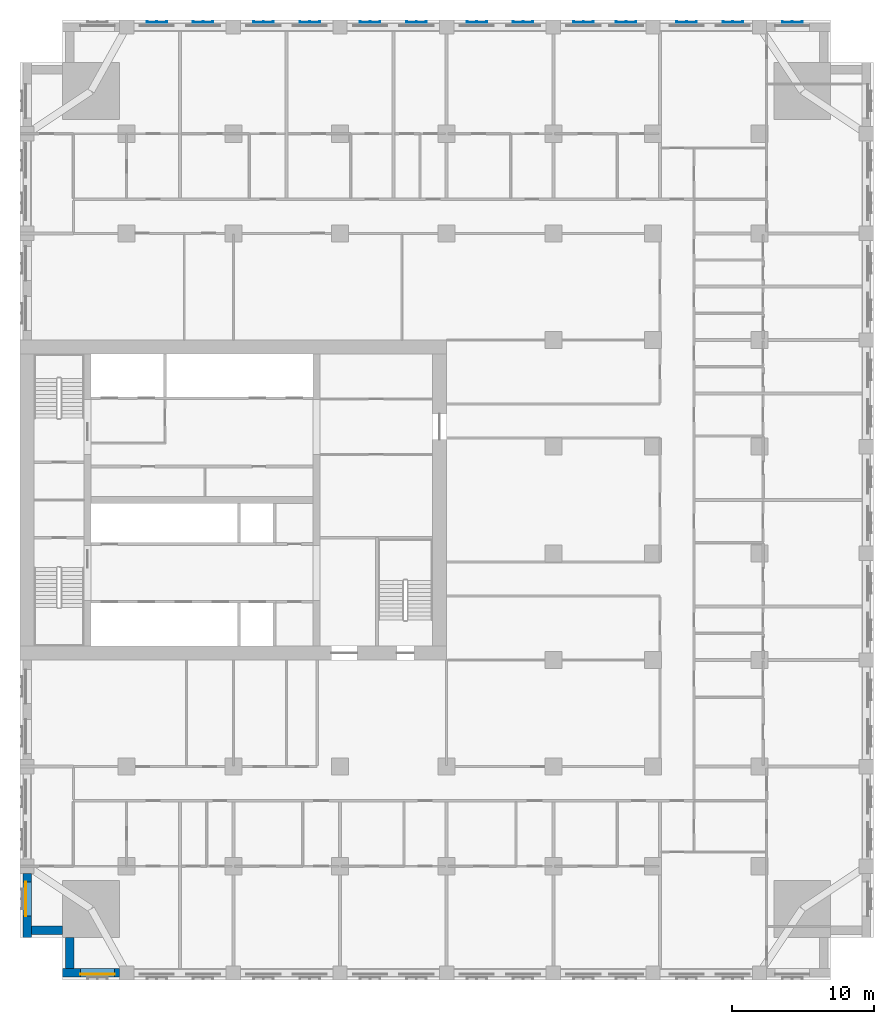
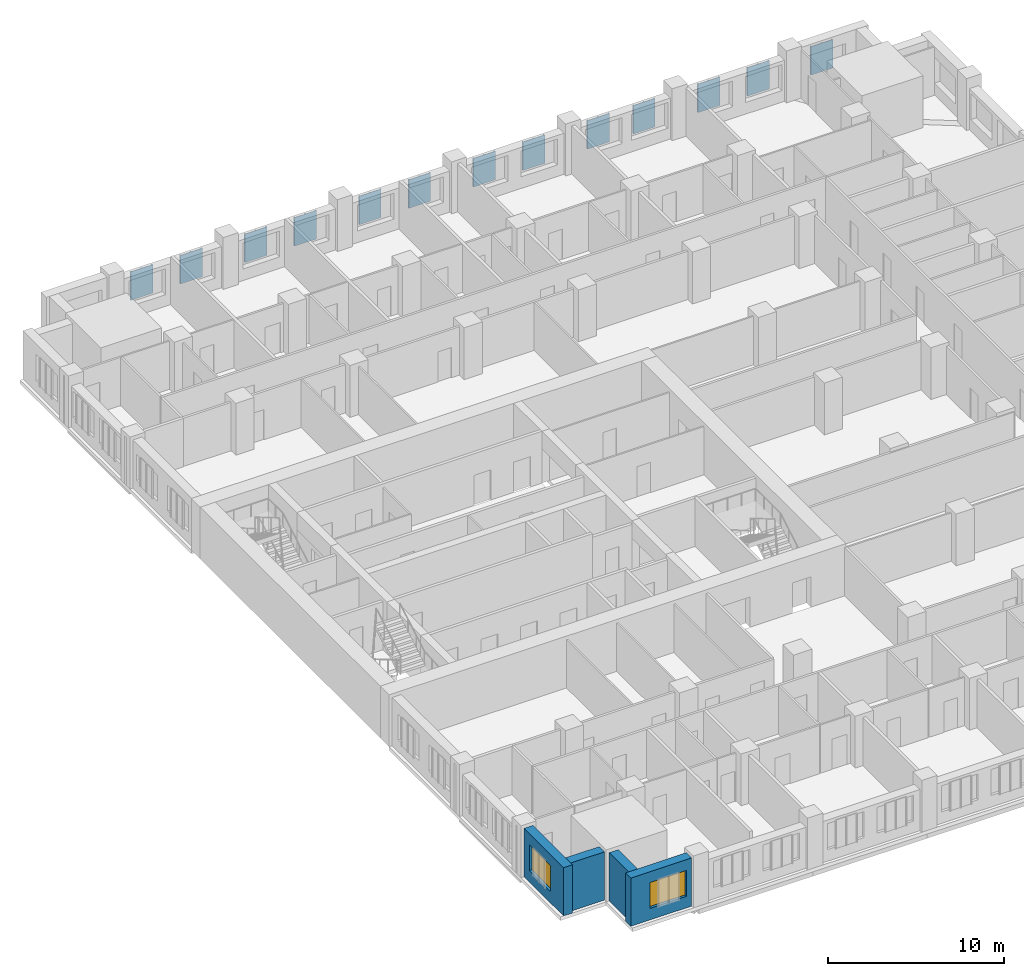
# One storey, part 3 of 14: 13 plates, 4 walls, 2 windows, 2 openings.
"""IFC4 building model written with IfcOpenShell, lengths in metres."""

from ifc_helpers import new_model, si_unit, direction, frame, frame_2d, origin, place, context, subcontext, project, spatial, polyline, rectangle, outline, extrude, material, layer, layer_set, type_object, element, fill, save


model = new_model("IFC4")

# Units and contexts
model_context = context("Model", 3, precision=1e-05, world=origin(), true_north=direction((0.0, 1.0)))
body_context = subcontext(model_context, "Body", "Model", "MODEL_VIEW")
ifc_project = project(units=[si_unit("LENGTHUNIT", "METRE"), si_unit("AREAUNIT", "SQUARE_METRE"), si_unit("VOLUMEUNIT", "CUBIC_METRE"), si_unit("PLANEANGLEUNIT", "RADIAN"), si_unit("MASSUNIT", "GRAM", prefix="KILO")], contexts=[model_context])

# Site, building, storey
site_placement = place(None, origin())
site = spatial("IfcSite", under=ifc_project, at=site_placement, CompositionType="ELEMENT")
building_placement = place(site_placement, origin())
building = spatial("IfcBuilding", under=site, at=building_placement, Name="Tamorin Gate", CompositionType="ELEMENT")
storey_placement = place(building_placement, frame((0.0, 0.0, 44.800048828125)))
storey = spatial("IfcBuildingStorey", under=building, at=storey_placement, Name="L09", CompositionType="ELEMENT", Elevation=44.800048828125)

# Plates
ifc_material_1 = material(Name="Perforated pale aluminium sheet", Category="aluminium")
ifc_layer_1 = layer(ifc_material_1, 0.0400390625)
ifc_layer_set_1 = layer_set([ifc_layer_1], Name="Pale metal solar screen 1440")
plate_type = type_object("IfcPlateType", Name="Pale metal solar screen 1440", PredefinedType="SHEET", material=ifc_layer_set_1)
plate_1_placement = place(storey_placement, frame((0.0, 0.0, 0.7099609375)))
element("IfcPlate", 1, at=plate_1_placement, inside=storey, type_object=plate_type, Name="Perforated solar screen", PredefinedType="SHEET", context=body_context, shape_type="SweptSolid", body=[
    extrude(outline(polyline([(85.02001953125, 104.840087890625), (85.02001953125, 104.800048828125), (84.9599609375, 104.800048828125), (84.330078125, 104.800048828125), (84.27001953125, 104.800048828125), (83.639892578125, 104.800048828125), (83.580078125, 104.800048828125), (83.580078125, 104.840087890625), (83.580078125, 104.89990234375), (83.639892578125, 104.89990234375), (83.639892578125, 104.840087890625), (84.27001953125, 104.840087890625), (84.27001953125, 104.89990234375), (84.330078125, 104.89990234375), (84.330078125, 104.840087890625), (84.9599609375, 104.840087890625), (84.9599609375, 104.89990234375), (85.02001953125, 104.89990234375), (85.02001953125, 104.840087890625)])), origin(), (0.0, 0.0, 1.0), 1.97998046875),
])
plate_2_placement = place(storey_placement, frame((0.0, 0.0, 0.7099609375)))
element("IfcPlate", 2, at=plate_2_placement, inside=storey, type_object=plate_type, Name="Perforated solar screen", PredefinedType="SHEET", context=body_context, shape_type="SweptSolid", body=[
    extrude(outline(polyline([(77.594970703125, 104.840087890625), (77.594970703125, 104.800048828125), (77.534912109375, 104.800048828125), (76.905029296875, 104.800048828125), (76.844970703125, 104.800048828125), (76.215087890625, 104.800048828125), (76.155029296875, 104.800048828125), (76.155029296875, 104.840087890625), (76.155029296875, 104.89990234375), (76.215087890625, 104.89990234375), (76.215087890625, 104.840087890625), (76.844970703125, 104.840087890625), (76.844970703125, 104.89990234375), (76.905029296875, 104.89990234375), (76.905029296875, 104.840087890625), (77.534912109375, 104.840087890625), (77.534912109375, 104.89990234375), (77.594970703125, 104.89990234375), (77.594970703125, 104.840087890625)])), origin(), (0.0, 0.0, 1.0), 1.97998046875),
])
plate_3_placement = place(storey_placement, frame((0.0, 0.0, 0.7099609375)))
element("IfcPlate", 3, at=plate_3_placement, inside=storey, type_object=plate_type, Name="Perforated solar screen", PredefinedType="SHEET", context=body_context, shape_type="SweptSolid", body=[
    extrude(outline(polyline([(80.844970703125, 104.840087890625), (80.844970703125, 104.800048828125), (80.784912109375, 104.800048828125), (80.155029296875, 104.800048828125), (80.094970703125, 104.800048828125), (79.465087890625, 104.800048828125), (79.405029296875, 104.800048828125), (79.405029296875, 104.800048828125), (79.405029296875, 104.840087890625), (79.405029296875, 104.840087890625), (79.405029296875, 104.89990234375), (79.465087890625, 104.89990234375), (79.465087890625, 104.840087890625), (80.094970703125, 104.840087890625), (80.094970703125, 104.89990234375), (80.155029296875, 104.89990234375), (80.155029296875, 104.840087890625), (80.784912109375, 104.840087890625), (80.784912109375, 104.89990234375), (80.844970703125, 104.89990234375), (80.844970703125, 104.840087890625)])), origin(), (0.0, 0.0, 1.0), 1.97998046875),
])
plate_4_placement = place(storey_placement, frame((0.0, 0.0, 0.7099609375)))
element("IfcPlate", 4, at=plate_4_placement, inside=storey, type_object=plate_type, Name="Perforated solar screen", PredefinedType="SHEET", context=body_context, shape_type="SweptSolid", body=[
    extrude(outline(polyline([(70.344970703125, 104.840087890625), (70.344970703125, 104.800048828125), (70.284912109375, 104.800048828125), (69.655029296875, 104.800048828125), (69.594970703125, 104.800048828125), (68.965087890625, 104.800048828125), (68.905029296875, 104.800048828125), (68.905029296875, 104.840087890625), (68.905029296875, 104.89990234375), (68.965087890625, 104.89990234375), (68.965087890625, 104.840087890625), (69.594970703125, 104.840087890625), (69.594970703125, 104.89990234375), (69.655029296875, 104.89990234375), (69.655029296875, 104.840087890625), (70.284912109375, 104.840087890625), (70.284912109375, 104.89990234375), (70.344970703125, 104.89990234375), (70.344970703125, 104.840087890625)])), origin(), (0.0, 0.0, 1.0), 1.97998046875),
])
plate_5_placement = place(storey_placement, frame((0.0, 0.0, 0.7099609375)))
element("IfcPlate", 5, at=plate_5_placement, inside=storey, type_object=plate_type, Name="Perforated solar screen", PredefinedType="SHEET", context=body_context, shape_type="SweptSolid", body=[
    extrude(outline(polyline([(73.344970703125, 104.840087890625), (73.344970703125, 104.800048828125), (73.284912109375, 104.800048828125), (72.655029296875, 104.800048828125), (72.594970703125, 104.800048828125), (71.965087890625, 104.800048828125), (71.905029296875, 104.800048828125), (71.905029296875, 104.840087890625), (71.905029296875, 104.89990234375), (71.965087890625, 104.89990234375), (71.965087890625, 104.840087890625), (72.594970703125, 104.840087890625), (72.594970703125, 104.89990234375), (72.655029296875, 104.89990234375), (72.655029296875, 104.840087890625), (73.284912109375, 104.840087890625), (73.284912109375, 104.89990234375), (73.344970703125, 104.89990234375), (73.344970703125, 104.840087890625)])), origin(), (0.0, 0.0, 1.0), 1.97998046875),
])
plate_6_placement = place(storey_placement, frame((0.0, 0.0, 0.7099609375)))
element("IfcPlate", 6, at=plate_6_placement, inside=storey, type_object=plate_type, Name="Perforated solar screen", PredefinedType="SHEET", context=body_context, shape_type="SweptSolid", body=[
    extrude(outline(polyline([(62.844970703125, 104.840087890625), (62.844970703125, 104.800048828125), (62.784912109375, 104.800048828125), (62.155029296875, 104.800048828125), (62.094970703125, 104.800048828125), (61.465087890625, 104.800048828125), (61.405029296875, 104.800048828125), (61.405029296875, 104.840087890625), (61.405029296875, 104.89990234375), (61.465087890625, 104.89990234375), (61.465087890625, 104.840087890625), (62.094970703125, 104.840087890625), (62.094970703125, 104.89990234375), (62.155029296875, 104.89990234375), (62.155029296875, 104.840087890625), (62.784912109375, 104.840087890625), (62.784912109375, 104.89990234375), (62.844970703125, 104.89990234375), (62.844970703125, 104.840087890625)])), origin(), (0.0, 0.0, 1.0), 1.97998046875),
])
plate_7_placement = place(storey_placement, frame((0.0, 0.0, 0.7099609375)))
element("IfcPlate", 7, at=plate_7_placement, inside=storey, type_object=plate_type, Name="Perforated solar screen", PredefinedType="SHEET", context=body_context, shape_type="SweptSolid", body=[
    extrude(outline(polyline([(66.094970703125, 104.840087890625), (66.094970703125, 104.800048828125), (66.034912109375, 104.800048828125), (65.405029296875, 104.800048828125), (65.344970703125, 104.800048828125), (64.715087890625, 104.800048828125), (64.655029296875, 104.800048828125), (64.655029296875, 104.840087890625), (64.655029296875, 104.89990234375), (64.715087890625, 104.89990234375), (64.715087890625, 104.840087890625), (65.344970703125, 104.840087890625), (65.344970703125, 104.89990234375), (65.405029296875, 104.89990234375), (65.405029296875, 104.840087890625), (66.034912109375, 104.840087890625), (66.034912109375, 104.89990234375), (66.094970703125, 104.89990234375), (66.094970703125, 104.840087890625)])), origin(), (0.0, 0.0, 1.0), 1.97998046875),
])
plate_8_placement = place(storey_placement, frame((0.0, 0.0, 0.7099609375)))
element("IfcPlate", 8, at=plate_8_placement, inside=storey, type_object=plate_type, Name="Perforated solar screen", PredefinedType="SHEET", context=body_context, shape_type="SweptSolid", body=[
    extrude(outline(polyline([(55.344970703125, 104.840087890625), (55.344970703125, 104.800048828125), (55.284912109375, 104.800048828125), (54.655029296875, 104.800048828125), (54.594970703125, 104.800048828125), (53.965087890625, 104.800048828125), (53.905029296875, 104.800048828125), (53.905029296875, 104.840087890625), (53.905029296875, 104.89990234375), (53.965087890625, 104.89990234375), (53.965087890625, 104.840087890625), (54.594970703125, 104.840087890625), (54.594970703125, 104.89990234375), (54.655029296875, 104.89990234375), (54.655029296875, 104.840087890625), (55.284912109375, 104.840087890625), (55.284912109375, 104.89990234375), (55.344970703125, 104.89990234375), (55.344970703125, 104.840087890625)])), origin(), (0.0, 0.0, 1.0), 1.97998046875),
])
plate_9_placement = place(storey_placement, frame((0.0, 0.0, 0.7099609375)))
element("IfcPlate", 9, at=plate_9_placement, inside=storey, type_object=plate_type, Name="Perforated solar screen", PredefinedType="SHEET", context=body_context, shape_type="SweptSolid", body=[
    extrude(outline(polyline([(58.594970703125, 104.840087890625), (58.594970703125, 104.800048828125), (58.534912109375, 104.800048828125), (57.905029296875, 104.800048828125), (57.844970703125, 104.800048828125), (57.215087890625, 104.800048828125), (57.155029296875, 104.800048828125), (57.155029296875, 104.840087890625), (57.155029296875, 104.89990234375), (57.215087890625, 104.89990234375), (57.215087890625, 104.840087890625), (57.844970703125, 104.840087890625), (57.844970703125, 104.89990234375), (57.905029296875, 104.89990234375), (57.905029296875, 104.840087890625), (58.534912109375, 104.840087890625), (58.534912109375, 104.89990234375), (58.594970703125, 104.89990234375), (58.594970703125, 104.840087890625)])), origin(), (0.0, 0.0, 1.0), 1.97998046875),
])
plate_10_placement = place(storey_placement, frame((0.0, 0.0, 0.7099609375)))
element("IfcPlate", 10, at=plate_10_placement, inside=storey, type_object=plate_type, Name="Perforated solar screen", PredefinedType="SHEET", context=body_context, shape_type="SweptSolid", body=[
    extrude(outline(polyline([(47.844970703125, 104.840087890625), (47.844970703125, 104.800048828125), (47.784912109375, 104.800048828125), (47.155029296875, 104.800048828125), (47.094970703125, 104.800048828125), (46.465087890625, 104.800048828125), (46.405029296875, 104.800048828125), (46.405029296875, 104.840087890625), (46.405029296875, 104.89990234375), (46.465087890625, 104.89990234375), (46.465087890625, 104.840087890625), (47.094970703125, 104.840087890625), (47.094970703125, 104.89990234375), (47.155029296875, 104.89990234375), (47.155029296875, 104.840087890625), (47.784912109375, 104.840087890625), (47.784912109375, 104.89990234375), (47.844970703125, 104.89990234375), (47.844970703125, 104.840087890625)])), origin(), (0.0, 0.0, 1.0), 1.97998046875),
])
plate_11_placement = place(storey_placement, frame((0.0, 0.0, 0.7099609375)))
element("IfcPlate", 11, at=plate_11_placement, inside=storey, type_object=plate_type, Name="Perforated solar screen", PredefinedType="SHEET", context=body_context, shape_type="SweptSolid", body=[
    extrude(outline(polyline([(51.094970703125, 104.840087890625), (51.094970703125, 104.800048828125), (51.034912109375, 104.800048828125), (50.405029296875, 104.800048828125), (50.344970703125, 104.800048828125), (49.715087890625, 104.800048828125), (49.655029296875, 104.800048828125), (49.655029296875, 104.840087890625), (49.655029296875, 104.89990234375), (49.715087890625, 104.89990234375), (49.715087890625, 104.840087890625), (50.344970703125, 104.840087890625), (50.344970703125, 104.89990234375), (50.405029296875, 104.89990234375), (50.405029296875, 104.840087890625), (51.034912109375, 104.840087890625), (51.034912109375, 104.89990234375), (51.094970703125, 104.89990234375), (51.094970703125, 104.840087890625)])), origin(), (0.0, 0.0, 1.0), 1.97998046875),
])
plate_12_placement = place(storey_placement, frame((0.0, 0.0, 0.7099609375)))
element("IfcPlate", 12, at=plate_12_placement, inside=storey, type_object=plate_type, Name="Perforated solar screen", PredefinedType="SHEET", context=body_context, shape_type="SweptSolid", body=[
    extrude(outline(polyline([(40.344970703125, 104.840087890625), (40.344970703125, 104.800048828125), (40.284912109375, 104.800048828125), (39.655029296875, 104.800048828125), (39.594970703125, 104.800048828125), (38.965087890625, 104.800048828125), (38.905029296875, 104.800048828125), (38.905029296875, 104.840087890625), (38.905029296875, 104.89990234375), (38.965087890625, 104.89990234375), (38.965087890625, 104.840087890625), (39.594970703125, 104.840087890625), (39.594970703125, 104.89990234375), (39.655029296875, 104.89990234375), (39.655029296875, 104.840087890625), (40.284912109375, 104.840087890625), (40.284912109375, 104.89990234375), (40.344970703125, 104.89990234375), (40.344970703125, 104.840087890625)])), origin(), (0.0, 0.0, 1.0), 1.97998046875),
])
plate_13_placement = place(storey_placement, frame((0.0, 0.0, 0.7099609375)))
element("IfcPlate", 13, at=plate_13_placement, inside=storey, type_object=plate_type, Name="Perforated solar screen", PredefinedType="SHEET", context=body_context, shape_type="SweptSolid", body=[
    extrude(outline(polyline([(43.594970703125, 104.840087890625), (43.594970703125, 104.800048828125), (43.534912109375, 104.800048828125), (42.905029296875, 104.800048828125), (42.844970703125, 104.800048828125), (42.215087890625, 104.800048828125), (42.155029296875, 104.800048828125), (42.155029296875, 104.840087890625), (42.155029296875, 104.89990234375), (42.215087890625, 104.89990234375), (42.215087890625, 104.840087890625), (42.844970703125, 104.840087890625), (42.844970703125, 104.89990234375), (42.905029296875, 104.89990234375), (42.905029296875, 104.840087890625), (43.534912109375, 104.840087890625), (43.534912109375, 104.89990234375), (43.594970703125, 104.89990234375), (43.594970703125, 104.840087890625)])), origin(), (0.0, 0.0, 1.0), 1.97998046875),
])

# Wall, opening, window
ifc_material_2 = material(Name="Precast concrete C40/50", Category="concrete")
ifc_layer_2 = layer(ifc_material_2, 0.60009765625)
ifc_layer_set_2 = layer_set([ifc_layer_2], Name="Precast concrete C40/50")
wall_type = type_object("IfcWallType", Name="Board-marked concrete facade panel 600", PredefinedType="SOLIDWALL", material=ifc_layer_set_2)
wall_1_placement = place(storey_placement, frame((33.0, 38.0, 0.0), z_axis=(0.0, 0.0, 1.0), x_axis=(1.0, 0.0, 0.0)))
wall_1 = element("IfcWall", 14, at=wall_1_placement, inside=storey, type_object=wall_type, Name="Facade panel", PredefinedType="SOLIDWALL", context=body_context, shape_type="SweptSolid", body=[
    extrude(rectangle(XDim=4.0, YDim=0.60009765625, at=frame_2d((2.0, 0.0))), origin(), (0.0, 0.0, 1.0), 3.349853515625),
])
opening_1_placement = place(wall_1_placement, frame((1.25, 0.0, 0.800048828125)))
opening_1 = element("IfcOpeningElement", 15, at=opening_1_placement, cuts=wall_1, Name="Opening WN1", PredefinedType="OPENING", context=body_context, shape_type="SweptSolid", body=[
    extrude(rectangle(XDim=2.39990234375, YDim=1.800048828125, at=frame_2d((1.199951171875, 0.89990234375))), frame((0.0, 0.31005859375, 0.0), z_axis=(0.0, -1.0, 0.0), x_axis=(1.0, 0.0, 0.0)), (0.0, 0.0, 1.0), 0.6201171875),
])
ifc_material_3 = material(Name="Clear glass in aluminium frame", Category="aluminium")
window_type = type_object("IfcWindowType", Name="Deep-set window 2400x1800", PartitioningType="SINGLE_PANEL", PredefinedType="WINDOW", material=ifc_material_3)
window_1_placement = place(opening_1_placement, origin())
window_1 = element("IfcWindow", 16, at=window_1_placement, inside=storey, type_object=window_type, Name="Deep-set window", OverallHeight=1.800048828125, OverallWidth=2.39990234375, PartitioningType="SINGLE_PANEL", PredefinedType="WINDOW", context=body_context, shape_type="SweptSolid", body=[
    extrude(rectangle(XDim=2.39990234375, YDim=1.800048828125, at=frame_2d((1.199951171875, 0.89990234375))), frame((0.0, -0.070068359375, 0.0), z_axis=(0.0, -1.0, 0.0), x_axis=(1.0, 0.0, 0.0)), (0.0, 0.0, 1.0), 0.06005859375),
])
fill(opening_1, window_1)

wall_2_placement = place(storey_placement, frame((30.5, 45.0, 0.0), z_axis=(0.0, 0.0, 1.0), x_axis=(0.0, -1.0, 0.0)))
wall_2 = element("IfcWall", 17, at=wall_2_placement, inside=storey, type_object=wall_type, Name="Facade panel", PredefinedType="SOLIDWALL", context=body_context, shape_type="SweptSolid", body=[
    extrude(rectangle(XDim=4.5, YDim=0.60009765625, at=frame_2d((2.25, 0.0))), origin(), (0.0, 0.0, 1.0), 3.349853515625),
])
opening_2_placement = place(wall_2_placement, frame((0.60009765625, 0.0, 0.800048828125)))
opening_2 = element("IfcOpeningElement", 18, at=opening_2_placement, cuts=wall_2, Name="Opening WN1", PredefinedType="OPENING", context=body_context, shape_type="SweptSolid", body=[
    extrude(rectangle(XDim=2.39990234375, YDim=1.800048828125, at=frame_2d((1.199951171875, 0.89990234375))), frame((0.0, 0.31005859375, 0.0), z_axis=(0.0, -1.0, 0.0), x_axis=(1.0, 0.0, 0.0)), (0.0, 0.0, 1.0), 0.6201171875),
])
window_2_placement = place(opening_2_placement, origin())
window_2 = element("IfcWindow", 19, at=window_2_placement, inside=storey, type_object=window_type, Name="Deep-set window", OverallHeight=1.800048828125, OverallWidth=2.39990234375, PartitioningType="SINGLE_PANEL", PredefinedType="WINDOW", context=body_context, shape_type="SweptSolid", body=[
    extrude(rectangle(XDim=2.39990234375, YDim=1.800048828125, at=frame_2d((1.199951171875, 0.89990234375))), frame((0.0, -0.070068359375, 0.0), z_axis=(0.0, -1.0, 0.0), x_axis=(1.0, 0.0, 0.0)), (0.0, 0.0, 1.0), 0.06005859375),
])
fill(opening_2, window_2)

# Walls
for number, where, z_axis, x_axis, name in (
    (20, (30.800048828125, 41.0, 0.0), (0.0, 0.0, 1.0), (1.0, 0.0, 0.0), "Facade panel"),
    (21, (33.5, 40.5, 0.0), (0.0, 0.0, 1.0), (0.0, -1.0, 0.0), "Facade panel"),
):
    element("IfcWall", number, at=place(storey_placement, frame(where, z_axis=z_axis, x_axis=x_axis)), inside=storey, type_object=wall_type, Name=name, PredefinedType="SOLIDWALL", context=body_context, shape_type="SweptSolid", body=[
        extrude(rectangle(XDim=2.199951171875, YDim=0.60009765625, at=frame_2d((1.10009765625, 0.0))), origin(), (0.0, 0.0, 1.0), 3.349853515625),
    ])

save(model, "model.ifc")
